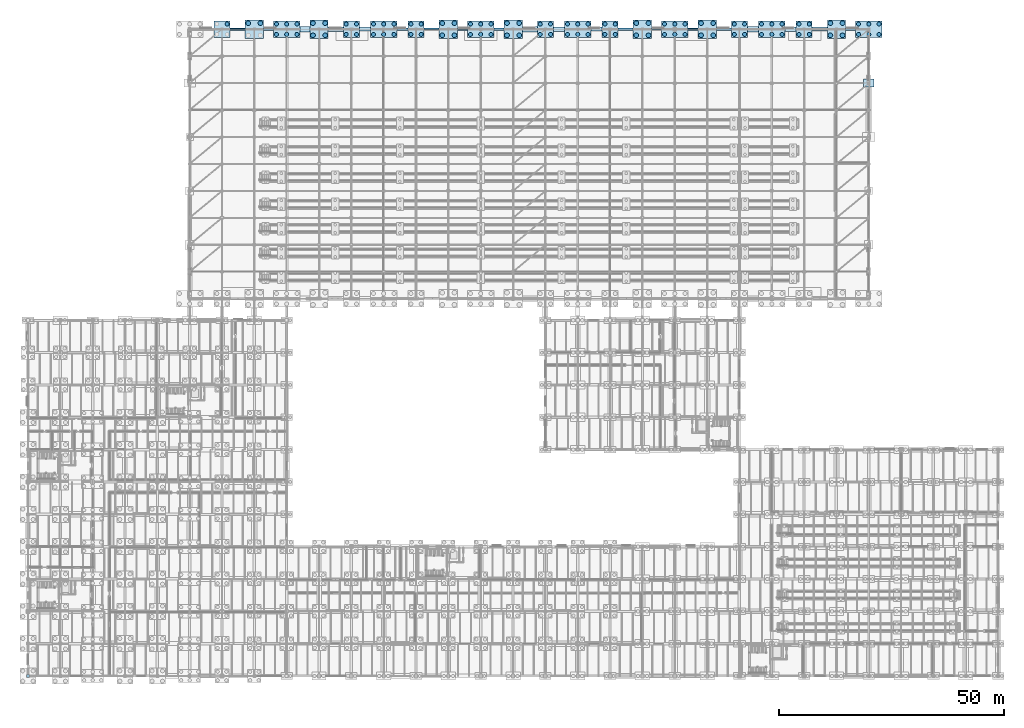
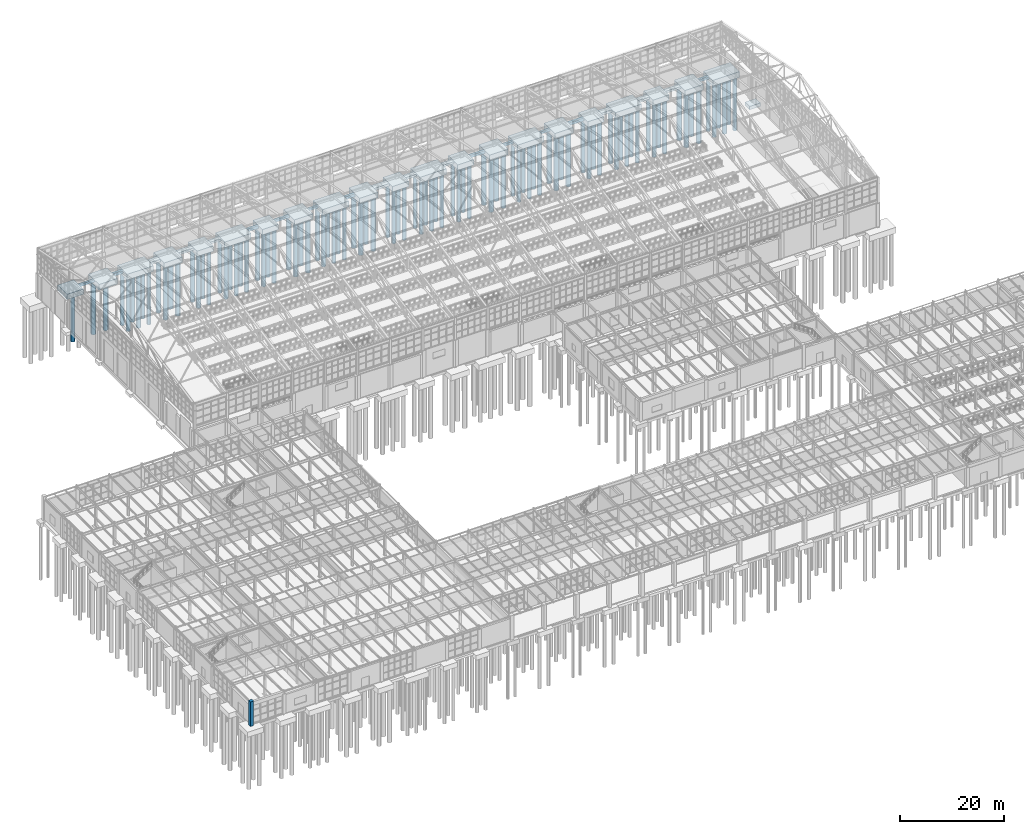
# One storey, part 14 of 293: 93 piles, 42 footings, 1 column.
"""IFC4 building model written with IfcOpenShell, lengths in metres."""

from ifc_helpers import new_model, si_unit, direction, frame, origin, origin_2d, place, context, subcontext, project, spatial, rectangle, circle, extrude, material, material_profile, profile_set, type_object, element, save


model = new_model("IFC4")

# Units and contexts
model_context = context("Model", 3, precision=1e-05, world=origin(), true_north=direction((0.0, 1.0)))
body_context = subcontext(model_context, "Body", "Model", "MODEL_VIEW")
ifc_project = project(units=[si_unit("LENGTHUNIT", "METRE"), si_unit("AREAUNIT", "SQUARE_METRE"), si_unit("VOLUMEUNIT", "CUBIC_METRE"), si_unit("PLANEANGLEUNIT", "RADIAN"), si_unit("MASSUNIT", "GRAM", prefix="KILO")], contexts=[model_context])

# Site, building, storey
site_placement = place(None, origin())
site = spatial("IfcSite", under=ifc_project, at=site_placement, CompositionType="ELEMENT")
building_placement = place(site_placement, origin())
building = spatial("IfcBuilding", under=site, at=building_placement, Name="Kemerveld Promenade Tramway Depot", CompositionType="ELEMENT")
storey_placement = place(building_placement, origin())
storey = spatial("IfcBuildingStorey", under=building, at=storey_placement, Name="L00", CompositionType="ELEMENT", Elevation=0.0)

# Footings
ifc_material_1 = material(Name="Concrete C35/45", Category="concrete")
footing_type_1 = type_object("IfcFootingType", Name="FT-GB01", PredefinedType="FOOTING_BEAM", material=ifc_material_1)
footing_1_placement = place(storey_placement, frame((83.362548828125, 144.0, -0.949951171875), z_axis=(0.0, 0.0, 1.0), x_axis=(1.0, 0.0, 0.0)))
element("IfcFooting", 1, at=footing_1_placement, inside=storey, type_object=footing_type_1, Name="GBX-12-13-U", PredefinedType="FOOTING_BEAM", context=body_context, shape_type="SweptSolid", body=[
    extrude(rectangle(XDim=2.47509765625, YDim=0.5, at=origin_2d()), origin(), (0.0, 0.0, 1.0), 0.64990234375),
])
footing_2_placement = place(storey_placement, frame((133.074951171875, 144.0, -0.949951171875), z_axis=(0.0, 0.0, 1.0), x_axis=(1.0, 0.0, 0.0)))
element("IfcFooting", 2, at=footing_2_placement, inside=storey, type_object=footing_type_1, Name="GBX-19-20-U", PredefinedType="FOOTING_BEAM", context=body_context, shape_type="SweptSolid", body=[
    extrude(rectangle(XDim=3.35009765625, YDim=0.5, at=origin_2d()), origin(), (0.0, 0.0, 1.0), 0.64990234375),
])
footing_3_placement = place(storey_placement, frame((183.16259765625, 144.0, -0.949951171875), z_axis=(0.0, 0.0, 1.0), x_axis=(1.0, 0.0, 0.0)))
element("IfcFooting", 3, at=footing_3_placement, inside=storey, type_object=footing_type_1, Name="GBX-26-27-U", PredefinedType="FOOTING_BEAM", context=body_context, shape_type="SweptSolid", body=[
    extrude(rectangle(XDim=2.22509765625, YDim=0.5, at=origin_2d()), origin(), (0.0, 0.0, 1.0), 0.64990234375),
])
footing_type_2 = type_object("IfcFootingType", Name="FT-GB02", PredefinedType="FOOTING_BEAM", material=ifc_material_1)
footing_4_placement = place(storey_placement, frame((89.875, 144.0, -0.900146484375), z_axis=(0.0, 0.0, 1.0), x_axis=(1.0, 0.0, 0.0)))
element("IfcFooting", 4, at=footing_4_placement, inside=storey, type_object=footing_type_2, Name="GBX-13-14-U", PredefinedType="FOOTING_BEAM", context=body_context, shape_type="SweptSolid", body=[
    extrude(rectangle(XDim=3.35009765625, YDim=0.449951171875, at=origin_2d()), origin(), (0.0, 0.0, 1.0), 0.60009765625),
])
footing_5_placement = place(storey_placement, frame((139.96240234375, 144.0, -0.900146484375), z_axis=(0.0, 0.0, 1.0), x_axis=(1.0, 0.0, 0.0)))
element("IfcFooting", 5, at=footing_5_placement, inside=storey, type_object=footing_type_2, Name="GBX-20-21-U", PredefinedType="FOOTING_BEAM", context=body_context, shape_type="SweptSolid", body=[
    extrude(rectangle(XDim=2.22509765625, YDim=0.449951171875, at=origin_2d()), origin(), (0.0, 0.0, 1.0), 0.60009765625),
])
footing_type_3 = type_object("IfcFootingType", Name="FT-GB03", PredefinedType="FOOTING_BEAM", material=ifc_material_1)
footing_6_placement = place(storey_placement, frame((46.675048828125, 144.0, -0.85009765625), z_axis=(0.0, 0.0, 1.0), x_axis=(1.0, 0.0, 0.0)))
element("IfcFooting", 6, at=footing_6_placement, inside=storey, type_object=footing_type_3, Name="GBX-07-08-U", PredefinedType="FOOTING_BEAM", context=body_context, shape_type="SweptSolid", body=[
    extrude(rectangle(XDim=3.35009765625, YDim=0.39990234375, at=origin_2d()), origin(), (0.0, 0.0, 1.0), 0.550048828125),
])
for number, where, z_axis, x_axis, name in (
    (7, (96.762451171875, 144.0, -0.85009765625), (0.0, 0.0, 1.0), (1.0, 0.0, 0.0), "GBX-14-15-U"),
    (8, (148.03759765625, 144.0, -0.85009765625), (0.0, 0.0, 1.0), (1.0, 0.0, 0.0), "GBX-21-22-U"),
):
    element("IfcFooting", number, at=place(storey_placement, frame(where, z_axis=z_axis, x_axis=x_axis)), inside=storey, type_object=footing_type_3, Name=name, PredefinedType="FOOTING_BEAM", context=body_context, shape_type="SweptSolid", body=[
        extrude(rectangle(XDim=2.22509765625, YDim=0.39990234375, at=origin_2d()), origin(), (0.0, 0.0, 1.0), 0.550048828125),
    ])
footing_type_4 = type_object("IfcFootingType", Name="FT-GB04", PredefinedType="FOOTING_BEAM", material=ifc_material_1)
for number, where, z_axis, x_axis, name in (
    (9, (53.5625, 144.0, -1.0), (0.0, 0.0, 1.0), (1.0, 0.0, 0.0), "GBX-08-09-U"),
    (10, (104.83740234375, 144.0, -1.0), (0.0, 0.0, 1.0), (1.0, 0.0, 0.0), "GBX-15-16-U"),
):
    element("IfcFooting", number, at=place(storey_placement, frame(where, z_axis=z_axis, x_axis=x_axis)), inside=storey, type_object=footing_type_4, Name=name, PredefinedType="FOOTING_BEAM", context=body_context, shape_type="SweptSolid", body=[
        extrude(rectangle(XDim=2.22509765625, YDim=0.550048828125, at=origin_2d()), origin(), (0.0, 0.0, 1.0), 0.699951171875),
    ])
footing_7_placement = place(storey_placement, frame((154.925048828125, 144.0, -1.0), z_axis=(0.0, 0.0, 1.0), x_axis=(1.0, 0.0, 0.0)))
element("IfcFooting", 11, at=footing_7_placement, inside=storey, type_object=footing_type_4, Name="GBX-22-23-U", PredefinedType="FOOTING_BEAM", context=body_context, shape_type="SweptSolid", body=[
    extrude(rectangle(XDim=3.35009765625, YDim=0.550048828125, at=origin_2d()), origin(), (0.0, 0.0, 1.0), 0.699951171875),
])
footing_type_5 = type_object("IfcFootingType", Name="FT-PC01", PredefinedType="PILE_CAP", material=ifc_material_1)
for number, where, z_axis, x_axis, name in (
    (12, (50.39990234375, 144.0, -1.60009765625), (0.0, 0.0, 1.0), (1.0, 0.0, 0.0), "FT-08-U"),
    (13, (64.800048828125, 144.0, -1.60009765625), (0.0, 0.0, 1.0), (1.0, 0.0, 0.0), "FT-10-U"),
    (14, (93.60009765625, 144.0, -1.60009765625), (0.0, 0.0, 1.0), (1.0, 0.0, 0.0), "FT-14-U"),
    (15, (108.0, 144.0, -1.60009765625), (0.0, 0.0, 1.0), (1.0, 0.0, 0.0), "FT-16-U"),
    (16, (136.800048828125, 144.0, -1.60009765625), (0.0, 0.0, 1.0), (1.0, 0.0, 0.0), "FT-20-U"),
    (17, (151.199951171875, 144.0, -1.60009765625), (0.0, 0.0, 1.0), (1.0, 0.0, 0.0), "FT-22-U"),
    (18, (180.0, 144.0, -1.60009765625), (0.0, 0.0, 1.0), (1.0, 0.0, 0.0), "FT-26-U"),
):
    element("IfcFooting", number, at=place(storey_placement, frame(where, z_axis=z_axis, x_axis=x_axis)), inside=storey, type_object=footing_type_5, Name=name, PredefinedType="PILE_CAP", context=body_context, shape_type="SweptSolid", body=[
        extrude(rectangle(XDim=4.10009765625, YDim=4.10009765625, at=origin_2d()), origin(), (0.0, 0.0, 1.0), 1.300048828125),
    ])
footing_type_6 = type_object("IfcFootingType", Name="FT-PC02", PredefinedType="PILE_CAP", material=ifc_material_1)
for number, where, z_axis, x_axis, name in (
    (19, (43.199951171875, 144.0, -1.550048828125), (0.0, 0.0, 1.0), (1.0, 0.0, 0.0), "FT-07-U"),
    (20, (72.0, 144.0, -1.550048828125), (0.0, 0.0, 1.0), (1.0, 0.0, 0.0), "FT-11-U"),
    (21, (86.39990234375, 144.0, -1.550048828125), (0.0, 0.0, 1.0), (1.0, 0.0, 0.0), "FT-13-U"),
    (22, (115.199951171875, 144.0, -1.550048828125), (0.0, 0.0, 1.0), (1.0, 0.0, 0.0), "FT-17-U"),
    (23, (129.60009765625, 144.0, -1.550048828125), (0.0, 0.0, 1.0), (1.0, 0.0, 0.0), "FT-19-U"),
    (24, (158.39990234375, 144.0, -1.550048828125), (0.0, 0.0, 1.0), (1.0, 0.0, 0.0), "FT-23-U"),
    (25, (172.800048828125, 144.0, -1.550048828125), (0.0, 0.0, 1.0), (1.0, 0.0, 0.0), "FT-25-U"),
):
    element("IfcFooting", number, at=place(storey_placement, frame(where, z_axis=z_axis, x_axis=x_axis)), inside=storey, type_object=footing_type_6, Name=name, PredefinedType="PILE_CAP", context=body_context, shape_type="SweptSolid", body=[
        extrude(rectangle(XDim=3.60009765625, YDim=3.60009765625, at=origin_2d()), origin(), (0.0, 0.0, 1.0), 1.25),
    ])
footing_type_7 = type_object("IfcFootingType", Name="FT-PC09", PredefinedType="PILE_CAP", material=ifc_material_1)
for number, where, z_axis, x_axis, name in (
    (26, (57.60009765625, 144.0, -1.650146484375), (0.0, 0.0, 1.0), (1.0, 0.0, 0.0), "FT-09-U"),
    (27, (79.199951171875, 144.0, -1.650146484375), (0.0, 0.0, 1.0), (1.0, 0.0, 0.0), "FT-12-U"),
    (28, (100.800048828125, 144.0, -1.650146484375), (0.0, 0.0, 1.0), (1.0, 0.0, 0.0), "FT-15-U"),
    (29, (122.39990234375, 144.0, -1.650146484375), (0.0, 0.0, 1.0), (1.0, 0.0, 0.0), "FT-18-U"),
    (30, (144.0, 144.0, -1.650146484375), (0.0, 0.0, 1.0), (1.0, 0.0, 0.0), "FT-21-U"),
    (31, (165.60009765625, 144.0, -1.650146484375), (0.0, 0.0, 1.0), (1.0, 0.0, 0.0), "FT-24-U"),
    (32, (187.199951171875, 144.0, -1.650146484375), (0.0, 0.0, 1.0), (1.0, 0.0, 0.0), "FT-27-U"),
):
    element("IfcFooting", number, at=place(storey_placement, frame(where, z_axis=z_axis, x_axis=x_axis)), inside=storey, type_object=footing_type_7, Name=name, PredefinedType="PILE_CAP", context=body_context, shape_type="SweptSolid", body=[
        extrude(rectangle(XDim=5.85009765625, YDim=3.60009765625, at=origin_2d()), origin(), (0.0, 0.0, 1.0), 1.35009765625),
    ])
footing_type_8 = type_object("IfcFootingType", Name="FT-PD13", PredefinedType="PAD_FOOTING", material=ifc_material_1)
footing_8_placement = place(storey_placement, frame((187.199951171875, 132.0, -1.050048828125), z_axis=(0.0, 0.0, 1.0), x_axis=(1.0, 0.0, 0.0)))
element("IfcFooting", 33, at=footing_8_placement, inside=storey, type_object=footing_type_8, Name="FT-27-S", PredefinedType="PAD_FOOTING", context=body_context, shape_type="SweptSolid", body=[
    extrude(rectangle(XDim=2.39990234375, YDim=1.75, at=origin_2d()), origin(), (0.0, 0.0, 1.0), 0.75),
])
footing_type_9 = type_object("IfcFootingType", Name="FT-SF01", PredefinedType="STRIP_FOOTING", material=ifc_material_1)
footing_9_placement = place(storey_placement, frame((61.637451171875, 144.0, -0.900146484375), z_axis=(0.0, 0.0, 1.0), x_axis=(1.0, 0.0, 0.0)))
element("IfcFooting", 34, at=footing_9_placement, inside=storey, type_object=footing_type_9, Name="GBX-09-10-U", PredefinedType="STRIP_FOOTING", context=body_context, shape_type="SweptSolid", body=[
    extrude(rectangle(XDim=2.22509765625, YDim=1.199951171875, at=origin_2d()), origin(), (0.0, 0.0, 1.0), 0.60009765625),
])
footing_10_placement = place(storey_placement, frame((111.72509765625, 144.0, -0.900146484375), z_axis=(0.0, 0.0, 1.0), x_axis=(1.0, 0.0, 0.0)))
element("IfcFooting", 35, at=footing_10_placement, inside=storey, type_object=footing_type_9, Name="GBX-16-17-U", PredefinedType="STRIP_FOOTING", context=body_context, shape_type="SweptSolid", body=[
    extrude(rectangle(XDim=3.35009765625, YDim=1.199951171875, at=origin_2d()), origin(), (0.0, 0.0, 1.0), 0.60009765625),
])
footing_11_placement = place(storey_placement, frame((161.4375, 144.0, -0.900146484375), z_axis=(0.0, 0.0, 1.0), x_axis=(1.0, 0.0, 0.0)))
element("IfcFooting", 36, at=footing_11_placement, inside=storey, type_object=footing_type_9, Name="GBX-23-24-U", PredefinedType="STRIP_FOOTING", context=body_context, shape_type="SweptSolid", body=[
    extrude(rectangle(XDim=2.47509765625, YDim=1.199951171875, at=origin_2d()), origin(), (0.0, 0.0, 1.0), 0.60009765625),
])
footing_type_10 = type_object("IfcFootingType", Name="FT-SF02", PredefinedType="STRIP_FOOTING", material=ifc_material_1)
footing_12_placement = place(storey_placement, frame((68.52490234375, 144.0, -0.85009765625), z_axis=(0.0, 0.0, 1.0), x_axis=(1.0, 0.0, 0.0)))
element("IfcFooting", 37, at=footing_12_placement, inside=storey, type_object=footing_type_10, Name="GBX-10-11-U", PredefinedType="STRIP_FOOTING", context=body_context, shape_type="SweptSolid", body=[
    extrude(rectangle(XDim=3.35009765625, YDim=1.0, at=origin_2d()), origin(), (0.0, 0.0, 1.0), 0.550048828125),
])
for number, where, z_axis, x_axis, name in (
    (38, (118.237548828125, 144.0, -0.85009765625), (0.0, 0.0, 1.0), (1.0, 0.0, 0.0), "GBX-17-18-U"),
    (39, (169.762451171875, 144.0, -0.85009765625), (0.0, 0.0, 1.0), (1.0, 0.0, 0.0), "GBX-24-25-U"),
):
    element("IfcFooting", number, at=place(storey_placement, frame(where, z_axis=z_axis, x_axis=x_axis)), inside=storey, type_object=footing_type_10, Name=name, PredefinedType="STRIP_FOOTING", context=body_context, shape_type="SweptSolid", body=[
        extrude(rectangle(XDim=2.47509765625, YDim=1.0, at=origin_2d()), origin(), (0.0, 0.0, 1.0), 0.550048828125),
    ])
footing_type_11 = type_object("IfcFootingType", Name="FT-SF03", PredefinedType="STRIP_FOOTING", material=ifc_material_1)
for number, where, z_axis, x_axis, name in (
    (40, (75.03759765625, 144.0, -0.800048828125), (0.0, 0.0, 1.0), (1.0, 0.0, 0.0), "GBX-11-12-U"),
    (41, (126.5625, 144.0, -0.800048828125), (0.0, 0.0, 1.0), (1.0, 0.0, 0.0), "GBX-18-19-U"),
):
    element("IfcFooting", number, at=place(storey_placement, frame(where, z_axis=z_axis, x_axis=x_axis)), inside=storey, type_object=footing_type_11, Name=name, PredefinedType="STRIP_FOOTING", context=body_context, shape_type="SweptSolid", body=[
        extrude(rectangle(XDim=2.47509765625, YDim=0.89990234375, at=origin_2d()), origin(), (0.0, 0.0, 1.0), 0.5),
    ])
footing_13_placement = place(storey_placement, frame((176.27490234375, 144.0, -0.800048828125), z_axis=(0.0, 0.0, 1.0), x_axis=(1.0, 0.0, 0.0)))
element("IfcFooting", 42, at=footing_13_placement, inside=storey, type_object=footing_type_11, Name="GBX-25-26-U", PredefinedType="STRIP_FOOTING", context=body_context, shape_type="SweptSolid", body=[
    extrude(rectangle(XDim=3.35009765625, YDim=0.89990234375, at=origin_2d()), origin(), (0.0, 0.0, 1.0), 0.5),
])

# Piles
ifc_material_profile_1 = material_profile(ifc_material_1, circle(Radius=0.52490234375, at=origin_2d()), Name="PILE-D1050")
ifc_profile_set_1 = profile_set([ifc_material_profile_1], Name="Concrete C35/45")
pile_type_1 = type_object("IfcPileType", Name="PL-BOR-1050", PredefinedType="BORED", material=ifc_profile_set_1)
for number, where, z_axis, x_axis, name in (
    (43, (49.050048828125, 145.35009765625, -1.5), (0.0, 0.0, -1.0), (1.0, 0.0, 0.0), "PIL-08-U-3"),
    (44, (51.75, 145.35009765625, -1.5), (0.0, 0.0, -1.0), (1.0, 0.0, 0.0), "PIL-08-U-4"),
    (45, (63.449951171875, 142.64990234375, -1.5), (0.0, 0.0, -1.0), (1.0, 0.0, 0.0), "PIL-10-U-1"),
    (46, (66.14990234375, 142.64990234375, -1.5), (0.0, 0.0, -1.0), (1.0, 0.0, 0.0), "PIL-10-U-2"),
    (47, (63.449951171875, 145.35009765625, -1.5), (0.0, 0.0, -1.0), (1.0, 0.0, 0.0), "PIL-10-U-3"),
    (48, (66.14990234375, 145.35009765625, -1.5), (0.0, 0.0, -1.0), (1.0, 0.0, 0.0), "PIL-10-U-4"),
    (49, (92.25, 142.64990234375, -1.5), (0.0, 0.0, -1.0), (1.0, 0.0, 0.0), "PIL-14-U-1"),
    (50, (94.949951171875, 142.64990234375, -1.5), (0.0, 0.0, -1.0), (1.0, 0.0, 0.0), "PIL-14-U-2"),
    (51, (92.25, 145.35009765625, -1.5), (0.0, 0.0, -1.0), (1.0, 0.0, 0.0), "PIL-14-U-3"),
    (52, (94.949951171875, 145.35009765625, -1.5), (0.0, 0.0, -1.0), (1.0, 0.0, 0.0), "PIL-14-U-4"),
    (53, (106.64990234375, 142.64990234375, -1.5), (0.0, 0.0, -1.0), (1.0, 0.0, 0.0), "PIL-16-U-1"),
    (54, (109.35009765625, 142.64990234375, -1.5), (0.0, 0.0, -1.0), (1.0, 0.0, 0.0), "PIL-16-U-2"),
    (55, (106.64990234375, 145.35009765625, -1.5), (0.0, 0.0, -1.0), (1.0, 0.0, 0.0), "PIL-16-U-3"),
    (56, (109.35009765625, 145.35009765625, -1.5), (0.0, 0.0, -1.0), (1.0, 0.0, 0.0), "PIL-16-U-4"),
    (57, (135.449951171875, 142.64990234375, -1.5), (0.0, 0.0, -1.0), (1.0, 0.0, 0.0), "PIL-20-U-1"),
    (58, (138.14990234375, 142.64990234375, -1.5), (0.0, 0.0, -1.0), (1.0, 0.0, 0.0), "PIL-20-U-2"),
    (59, (135.449951171875, 145.35009765625, -1.5), (0.0, 0.0, -1.0), (1.0, 0.0, 0.0), "PIL-20-U-3"),
    (60, (138.14990234375, 145.35009765625, -1.5), (0.0, 0.0, -1.0), (1.0, 0.0, 0.0), "PIL-20-U-4"),
    (61, (149.85009765625, 142.64990234375, -1.5), (0.0, 0.0, -1.0), (1.0, 0.0, 0.0), "PIL-22-U-1"),
    (62, (152.550048828125, 142.64990234375, -1.5), (0.0, 0.0, -1.0), (1.0, 0.0, 0.0), "PIL-22-U-2"),
    (63, (149.85009765625, 145.35009765625, -1.5), (0.0, 0.0, -1.0), (1.0, 0.0, 0.0), "PIL-22-U-3"),
    (64, (152.550048828125, 145.35009765625, -1.5), (0.0, 0.0, -1.0), (1.0, 0.0, 0.0), "PIL-22-U-4"),
    (65, (178.64990234375, 142.64990234375, -1.5), (0.0, 0.0, -1.0), (1.0, 0.0, 0.0), "PIL-26-U-1"),
    (66, (181.35009765625, 142.64990234375, -1.5), (0.0, 0.0, -1.0), (1.0, 0.0, 0.0), "PIL-26-U-2"),
    (67, (178.64990234375, 145.35009765625, -1.5), (0.0, 0.0, -1.0), (1.0, 0.0, 0.0), "PIL-26-U-3"),
    (68, (181.35009765625, 145.35009765625, -1.5), (0.0, 0.0, -1.0), (1.0, 0.0, 0.0), "PIL-26-U-4"),
):
    element("IfcPile", number, at=place(storey_placement, frame(where, z_axis=z_axis, x_axis=x_axis)), inside=storey, type_object=pile_type_1, Name=name, PredefinedType="BORED", context=body_context, shape_type="SweptSolid", body=[
        extrude(circle(Radius=0.52490234375, at=origin_2d()), origin(), (0.0, 0.0, 1.0), 12.5),
    ])
ifc_material_profile_2 = material_profile(ifc_material_1, circle(Radius=0.449951171875, at=origin_2d()), Name="PILE-D900")
ifc_profile_set_2 = profile_set([ifc_material_profile_2], Name="Concrete C35/45")
pile_type_2 = type_object("IfcPileType", Name="PL-BOR-900", PredefinedType="BORED", material=ifc_profile_set_2)
pile_placement = place(storey_placement, frame((44.35009765625, 145.14990234375, -1.449951171875), z_axis=(0.0, 0.0, -1.0), x_axis=(1.0, 0.0, 0.0)))
element("IfcPile", 69, at=pile_placement, inside=storey, type_object=pile_type_2, Name="PIL-07-U-4", PredefinedType="BORED", context=body_context, shape_type="SweptSolid", body=[
    extrude(circle(Radius=0.449951171875, at=origin_2d()), origin(), (0.0, 0.0, 1.0), 12.550048828125),
])
for number, where, z_axis, x_axis, name in (
    (70, (55.320068359375, 142.85009765625, -1.550048828125), (0.0, 0.0, -1.0), (1.0, 0.0, 0.0), "PIL-09-U-1"),
    (71, (57.60009765625, 142.85009765625, -1.550048828125), (0.0, 0.0, -1.0), (1.0, 0.0, 0.0), "PIL-09-U-2"),
    (72, (59.8798828125, 142.85009765625, -1.550048828125), (0.0, 0.0, -1.0), (1.0, 0.0, 0.0), "PIL-09-U-3"),
    (73, (55.320068359375, 145.14990234375, -1.550048828125), (0.0, 0.0, -1.0), (1.0, 0.0, 0.0), "PIL-09-U-4"),
    (74, (57.60009765625, 145.14990234375, -1.550048828125), (0.0, 0.0, -1.0), (1.0, 0.0, 0.0), "PIL-09-U-5"),
    (75, (59.8798828125, 145.14990234375, -1.550048828125), (0.0, 0.0, -1.0), (1.0, 0.0, 0.0), "PIL-09-U-6"),
):
    element("IfcPile", number, at=place(storey_placement, frame(where, z_axis=z_axis, x_axis=x_axis)), inside=storey, type_object=pile_type_2, Name=name, PredefinedType="BORED", context=body_context, shape_type="SweptSolid", body=[
        extrude(circle(Radius=0.449951171875, at=origin_2d()), origin(), (0.0, 0.0, 1.0), 12.449951171875),
    ])
for number, where, z_axis, x_axis, name in (
    (76, (70.85009765625, 142.85009765625, -1.449951171875), (0.0, 0.0, -1.0), (1.0, 0.0, 0.0), "PIL-11-U-1"),
    (77, (73.14990234375, 142.85009765625, -1.449951171875), (0.0, 0.0, -1.0), (1.0, 0.0, 0.0), "PIL-11-U-2"),
    (78, (70.85009765625, 145.14990234375, -1.449951171875), (0.0, 0.0, -1.0), (1.0, 0.0, 0.0), "PIL-11-U-3"),
    (79, (73.14990234375, 145.14990234375, -1.449951171875), (0.0, 0.0, -1.0), (1.0, 0.0, 0.0), "PIL-11-U-4"),
):
    element("IfcPile", number, at=place(storey_placement, frame(where, z_axis=z_axis, x_axis=x_axis)), inside=storey, type_object=pile_type_2, Name=name, PredefinedType="BORED", context=body_context, shape_type="SweptSolid", body=[
        extrude(circle(Radius=0.449951171875, at=origin_2d()), origin(), (0.0, 0.0, 1.0), 12.550048828125),
    ])
for number, where, z_axis, x_axis, name in (
    (80, (76.919921875, 142.85009765625, -1.550048828125), (0.0, 0.0, -1.0), (1.0, 0.0, 0.0), "PIL-12-U-1"),
    (81, (79.199951171875, 142.85009765625, -1.550048828125), (0.0, 0.0, -1.0), (1.0, 0.0, 0.0), "PIL-12-U-2"),
    (82, (81.47998046875, 142.85009765625, -1.550048828125), (0.0, 0.0, -1.0), (1.0, 0.0, 0.0), "PIL-12-U-3"),
    (83, (76.919921875, 145.14990234375, -1.550048828125), (0.0, 0.0, -1.0), (1.0, 0.0, 0.0), "PIL-12-U-4"),
    (84, (79.199951171875, 145.14990234375, -1.550048828125), (0.0, 0.0, -1.0), (1.0, 0.0, 0.0), "PIL-12-U-5"),
    (85, (81.47998046875, 145.14990234375, -1.550048828125), (0.0, 0.0, -1.0), (1.0, 0.0, 0.0), "PIL-12-U-6"),
):
    element("IfcPile", number, at=place(storey_placement, frame(where, z_axis=z_axis, x_axis=x_axis)), inside=storey, type_object=pile_type_2, Name=name, PredefinedType="BORED", context=body_context, shape_type="SweptSolid", body=[
        extrude(circle(Radius=0.449951171875, at=origin_2d()), origin(), (0.0, 0.0, 1.0), 12.449951171875),
    ])
for number, where, z_axis, x_axis, name in (
    (86, (85.25, 142.85009765625, -1.449951171875), (0.0, 0.0, -1.0), (1.0, 0.0, 0.0), "PIL-13-U-1"),
    (87, (87.550048828125, 142.85009765625, -1.449951171875), (0.0, 0.0, -1.0), (1.0, 0.0, 0.0), "PIL-13-U-2"),
    (88, (85.25, 145.14990234375, -1.449951171875), (0.0, 0.0, -1.0), (1.0, 0.0, 0.0), "PIL-13-U-3"),
    (89, (87.550048828125, 145.14990234375, -1.449951171875), (0.0, 0.0, -1.0), (1.0, 0.0, 0.0), "PIL-13-U-4"),
):
    element("IfcPile", number, at=place(storey_placement, frame(where, z_axis=z_axis, x_axis=x_axis)), inside=storey, type_object=pile_type_2, Name=name, PredefinedType="BORED", context=body_context, shape_type="SweptSolid", body=[
        extrude(circle(Radius=0.449951171875, at=origin_2d()), origin(), (0.0, 0.0, 1.0), 12.550048828125),
    ])
for number, where, z_axis, x_axis, name in (
    (90, (98.52001953125, 142.85009765625, -1.550048828125), (0.0, 0.0, -1.0), (1.0, 0.0, 0.0), "PIL-15-U-1"),
    (91, (100.800048828125, 142.85009765625, -1.550048828125), (0.0, 0.0, -1.0), (1.0, 0.0, 0.0), "PIL-15-U-2"),
    (92, (103.080078125, 142.85009765625, -1.550048828125), (0.0, 0.0, -1.0), (1.0, 0.0, 0.0), "PIL-15-U-3"),
    (93, (98.52001953125, 145.14990234375, -1.550048828125), (0.0, 0.0, -1.0), (1.0, 0.0, 0.0), "PIL-15-U-4"),
    (94, (100.800048828125, 145.14990234375, -1.550048828125), (0.0, 0.0, -1.0), (1.0, 0.0, 0.0), "PIL-15-U-5"),
    (95, (103.080078125, 145.14990234375, -1.550048828125), (0.0, 0.0, -1.0), (1.0, 0.0, 0.0), "PIL-15-U-6"),
):
    element("IfcPile", number, at=place(storey_placement, frame(where, z_axis=z_axis, x_axis=x_axis)), inside=storey, type_object=pile_type_2, Name=name, PredefinedType="BORED", context=body_context, shape_type="SweptSolid", body=[
        extrude(circle(Radius=0.449951171875, at=origin_2d()), origin(), (0.0, 0.0, 1.0), 12.449951171875),
    ])
for number, where, z_axis, x_axis, name in (
    (96, (114.050048828125, 142.85009765625, -1.449951171875), (0.0, 0.0, -1.0), (1.0, 0.0, 0.0), "PIL-17-U-1"),
    (97, (116.35009765625, 142.85009765625, -1.449951171875), (0.0, 0.0, -1.0), (1.0, 0.0, 0.0), "PIL-17-U-2"),
    (98, (114.050048828125, 145.14990234375, -1.449951171875), (0.0, 0.0, -1.0), (1.0, 0.0, 0.0), "PIL-17-U-3"),
    (99, (116.35009765625, 145.14990234375, -1.449951171875), (0.0, 0.0, -1.0), (1.0, 0.0, 0.0), "PIL-17-U-4"),
):
    element("IfcPile", number, at=place(storey_placement, frame(where, z_axis=z_axis, x_axis=x_axis)), inside=storey, type_object=pile_type_2, Name=name, PredefinedType="BORED", context=body_context, shape_type="SweptSolid", body=[
        extrude(circle(Radius=0.449951171875, at=origin_2d()), origin(), (0.0, 0.0, 1.0), 12.550048828125),
    ])
for number, where, z_axis, x_axis, name in (
    (100, (120.1201171875, 142.85009765625, -1.550048828125), (0.0, 0.0, -1.0), (1.0, 0.0, 0.0), "PIL-18-U-1"),
    (101, (122.39990234375, 142.85009765625, -1.550048828125), (0.0, 0.0, -1.0), (1.0, 0.0, 0.0), "PIL-18-U-2"),
    (102, (124.679931640625, 142.85009765625, -1.550048828125), (0.0, 0.0, -1.0), (1.0, 0.0, 0.0), "PIL-18-U-3"),
    (103, (120.1201171875, 145.14990234375, -1.550048828125), (0.0, 0.0, -1.0), (1.0, 0.0, 0.0), "PIL-18-U-4"),
    (104, (122.39990234375, 145.14990234375, -1.550048828125), (0.0, 0.0, -1.0), (1.0, 0.0, 0.0), "PIL-18-U-5"),
    (105, (124.679931640625, 145.14990234375, -1.550048828125), (0.0, 0.0, -1.0), (1.0, 0.0, 0.0), "PIL-18-U-6"),
):
    element("IfcPile", number, at=place(storey_placement, frame(where, z_axis=z_axis, x_axis=x_axis)), inside=storey, type_object=pile_type_2, Name=name, PredefinedType="BORED", context=body_context, shape_type="SweptSolid", body=[
        extrude(circle(Radius=0.449951171875, at=origin_2d()), origin(), (0.0, 0.0, 1.0), 12.449951171875),
    ])
for number, where, z_axis, x_axis, name in (
    (106, (128.449951171875, 142.85009765625, -1.449951171875), (0.0, 0.0, -1.0), (1.0, 0.0, 0.0), "PIL-19-U-1"),
    (107, (130.75, 142.85009765625, -1.449951171875), (0.0, 0.0, -1.0), (1.0, 0.0, 0.0), "PIL-19-U-2"),
    (108, (128.449951171875, 145.14990234375, -1.449951171875), (0.0, 0.0, -1.0), (1.0, 0.0, 0.0), "PIL-19-U-3"),
    (109, (130.75, 145.14990234375, -1.449951171875), (0.0, 0.0, -1.0), (1.0, 0.0, 0.0), "PIL-19-U-4"),
):
    element("IfcPile", number, at=place(storey_placement, frame(where, z_axis=z_axis, x_axis=x_axis)), inside=storey, type_object=pile_type_2, Name=name, PredefinedType="BORED", context=body_context, shape_type="SweptSolid", body=[
        extrude(circle(Radius=0.449951171875, at=origin_2d()), origin(), (0.0, 0.0, 1.0), 12.550048828125),
    ])
for number, where, z_axis, x_axis, name in (
    (110, (141.719970703125, 142.85009765625, -1.550048828125), (0.0, 0.0, -1.0), (1.0, 0.0, 0.0), "PIL-21-U-1"),
    (111, (144.0, 142.85009765625, -1.550048828125), (0.0, 0.0, -1.0), (1.0, 0.0, 0.0), "PIL-21-U-2"),
    (112, (146.280029296875, 142.85009765625, -1.550048828125), (0.0, 0.0, -1.0), (1.0, 0.0, 0.0), "PIL-21-U-3"),
    (113, (141.719970703125, 145.14990234375, -1.550048828125), (0.0, 0.0, -1.0), (1.0, 0.0, 0.0), "PIL-21-U-4"),
    (114, (144.0, 145.14990234375, -1.550048828125), (0.0, 0.0, -1.0), (1.0, 0.0, 0.0), "PIL-21-U-5"),
    (115, (146.280029296875, 145.14990234375, -1.550048828125), (0.0, 0.0, -1.0), (1.0, 0.0, 0.0), "PIL-21-U-6"),
):
    element("IfcPile", number, at=place(storey_placement, frame(where, z_axis=z_axis, x_axis=x_axis)), inside=storey, type_object=pile_type_2, Name=name, PredefinedType="BORED", context=body_context, shape_type="SweptSolid", body=[
        extrude(circle(Radius=0.449951171875, at=origin_2d()), origin(), (0.0, 0.0, 1.0), 12.449951171875),
    ])
for number, where, z_axis, x_axis, name in (
    (116, (157.25, 142.85009765625, -1.449951171875), (0.0, 0.0, -1.0), (1.0, 0.0, 0.0), "PIL-23-U-1"),
    (117, (159.550048828125, 142.85009765625, -1.449951171875), (0.0, 0.0, -1.0), (1.0, 0.0, 0.0), "PIL-23-U-2"),
    (118, (157.25, 145.14990234375, -1.449951171875), (0.0, 0.0, -1.0), (1.0, 0.0, 0.0), "PIL-23-U-3"),
    (119, (159.550048828125, 145.14990234375, -1.449951171875), (0.0, 0.0, -1.0), (1.0, 0.0, 0.0), "PIL-23-U-4"),
):
    element("IfcPile", number, at=place(storey_placement, frame(where, z_axis=z_axis, x_axis=x_axis)), inside=storey, type_object=pile_type_2, Name=name, PredefinedType="BORED", context=body_context, shape_type="SweptSolid", body=[
        extrude(circle(Radius=0.449951171875, at=origin_2d()), origin(), (0.0, 0.0, 1.0), 12.550048828125),
    ])
for number, where, z_axis, x_axis, name in (
    (120, (163.320068359375, 142.85009765625, -1.550048828125), (0.0, 0.0, -1.0), (1.0, 0.0, 0.0), "PIL-24-U-1"),
    (121, (165.60009765625, 142.85009765625, -1.550048828125), (0.0, 0.0, -1.0), (1.0, 0.0, 0.0), "PIL-24-U-2"),
    (122, (167.8798828125, 142.85009765625, -1.550048828125), (0.0, 0.0, -1.0), (1.0, 0.0, 0.0), "PIL-24-U-3"),
    (123, (163.320068359375, 145.14990234375, -1.550048828125), (0.0, 0.0, -1.0), (1.0, 0.0, 0.0), "PIL-24-U-4"),
    (124, (165.60009765625, 145.14990234375, -1.550048828125), (0.0, 0.0, -1.0), (1.0, 0.0, 0.0), "PIL-24-U-5"),
    (125, (167.8798828125, 145.14990234375, -1.550048828125), (0.0, 0.0, -1.0), (1.0, 0.0, 0.0), "PIL-24-U-6"),
):
    element("IfcPile", number, at=place(storey_placement, frame(where, z_axis=z_axis, x_axis=x_axis)), inside=storey, type_object=pile_type_2, Name=name, PredefinedType="BORED", context=body_context, shape_type="SweptSolid", body=[
        extrude(circle(Radius=0.449951171875, at=origin_2d()), origin(), (0.0, 0.0, 1.0), 12.449951171875),
    ])
for number, where, z_axis, x_axis, name in (
    (126, (171.64990234375, 142.85009765625, -1.449951171875), (0.0, 0.0, -1.0), (1.0, 0.0, 0.0), "PIL-25-U-1"),
    (127, (173.949951171875, 142.85009765625, -1.449951171875), (0.0, 0.0, -1.0), (1.0, 0.0, 0.0), "PIL-25-U-2"),
    (128, (171.64990234375, 145.14990234375, -1.449951171875), (0.0, 0.0, -1.0), (1.0, 0.0, 0.0), "PIL-25-U-3"),
    (129, (173.949951171875, 145.14990234375, -1.449951171875), (0.0, 0.0, -1.0), (1.0, 0.0, 0.0), "PIL-25-U-4"),
):
    element("IfcPile", number, at=place(storey_placement, frame(where, z_axis=z_axis, x_axis=x_axis)), inside=storey, type_object=pile_type_2, Name=name, PredefinedType="BORED", context=body_context, shape_type="SweptSolid", body=[
        extrude(circle(Radius=0.449951171875, at=origin_2d()), origin(), (0.0, 0.0, 1.0), 12.550048828125),
    ])
for number, where, z_axis, x_axis, name in (
    (130, (184.919921875, 142.85009765625, -1.550048828125), (0.0, 0.0, -1.0), (1.0, 0.0, 0.0), "PIL-27-U-1"),
    (131, (187.199951171875, 142.85009765625, -1.550048828125), (0.0, 0.0, -1.0), (1.0, 0.0, 0.0), "PIL-27-U-2"),
    (132, (189.47998046875, 142.85009765625, -1.550048828125), (0.0, 0.0, -1.0), (1.0, 0.0, 0.0), "PIL-27-U-3"),
    (133, (184.919921875, 145.14990234375, -1.550048828125), (0.0, 0.0, -1.0), (1.0, 0.0, 0.0), "PIL-27-U-4"),
    (134, (187.199951171875, 145.14990234375, -1.550048828125), (0.0, 0.0, -1.0), (1.0, 0.0, 0.0), "PIL-27-U-5"),
    (135, (189.47998046875, 145.14990234375, -1.550048828125), (0.0, 0.0, -1.0), (1.0, 0.0, 0.0), "PIL-27-U-6"),
):
    element("IfcPile", number, at=place(storey_placement, frame(where, z_axis=z_axis, x_axis=x_axis)), inside=storey, type_object=pile_type_2, Name=name, PredefinedType="BORED", context=body_context, shape_type="SweptSolid", body=[
        extrude(circle(Radius=0.449951171875, at=origin_2d()), origin(), (0.0, 0.0, 1.0), 12.449951171875),
    ])

# Column
ifc_material_2 = material(Name="Concrete C40/50", Category="concrete")
ifc_material_profile_3 = material_profile(ifc_material_2, rectangle(XDim=0.75, YDim=0.75, at=origin_2d()), Name="RC-COL-750x750")
ifc_profile_set_3 = profile_set([ifc_material_profile_3], Name="Concrete C40/50")
column_type = type_object("IfcColumnType", Name="COL-RC2", PredefinedType="COLUMN", material=ifc_profile_set_3)
column_placement = place(storey_placement, frame((0.0, 0.0, -0.300048828125), z_axis=(0.0, 0.0, 1.0), x_axis=(1.0, 0.0, 0.0)))
element("IfcColumn", 136, at=column_placement, inside=storey, type_object=column_type, Name="COL-L00-01-A", PredefinedType="COLUMN", context=body_context, shape_type="SweptSolid", body=[
    extrude(rectangle(XDim=0.75, YDim=0.75, at=origin_2d()), origin(), (0.0, 0.0, 1.0), 5.699951171875),
])

save(model, "model.ifc")
